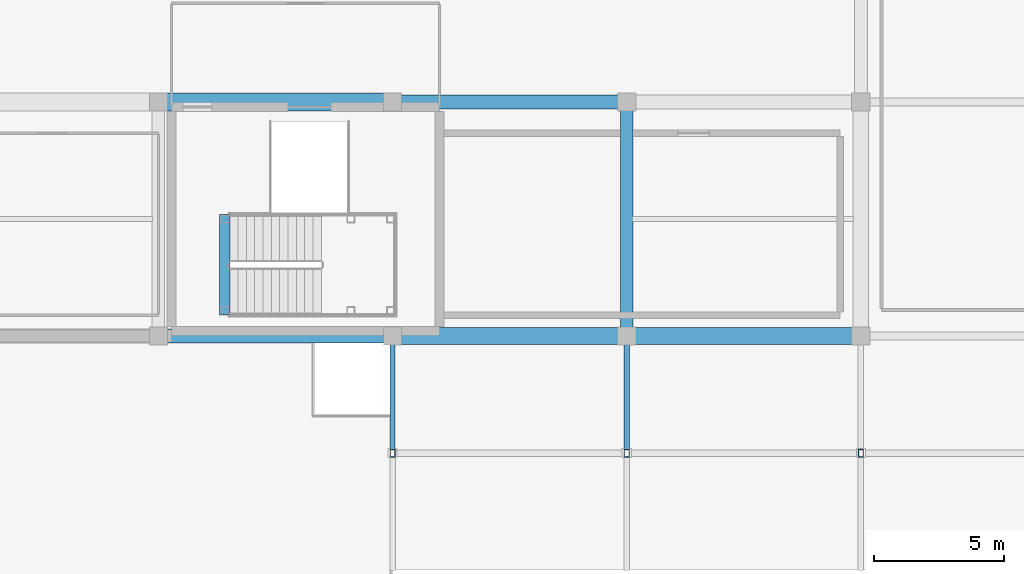
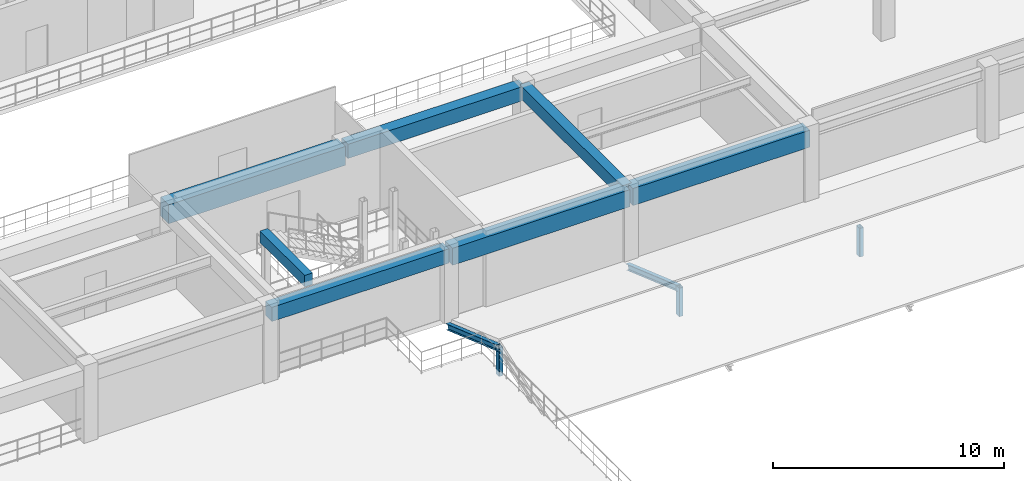
# One storey, part 44 of 110: 7 beams, 5 members.
"""IFC4 building model written with IfcOpenShell, lengths in metres."""

from ifc_helpers import new_model, si_unit, direction, frame, origin, origin_2d, place, context, subcontext, project, spatial, rectangle, hollow_rectangle, i_section, extrude, material, material_profile, profile_set, type_object, element, save


model = new_model("IFC4")

# Units and contexts
model_context = context("Model", 3, precision=1e-05, world=origin(), true_north=direction((0.0, 1.0)))
body_context = subcontext(model_context, "Body", "Model", "MODEL_VIEW")
ifc_project = project(units=[si_unit("LENGTHUNIT", "METRE"), si_unit("AREAUNIT", "SQUARE_METRE"), si_unit("VOLUMEUNIT", "CUBIC_METRE"), si_unit("PLANEANGLEUNIT", "RADIAN"), si_unit("MASSUNIT", "GRAM", prefix="KILO")], contexts=[model_context])

# Site, building, storey
site_placement = place(None, origin())
site = spatial("IfcSite", under=ifc_project, at=site_placement, CompositionType="ELEMENT")
building_placement = place(site_placement, origin())
building = spatial("IfcBuilding", under=site, at=building_placement, Name="Miravela Opera House", CompositionType="ELEMENT")
storey_placement = place(building_placement, frame((0.0, 0.0, 13.60009765625)))
storey = spatial("IfcBuildingStorey", under=building, at=storey_placement, Name="L03", CompositionType="ELEMENT", Elevation=13.60009765625)

# Beams
ifc_material_1 = material(Name="Concrete C35/45", Category="concrete")
ifc_material_profile_1 = material_profile(ifc_material_1, rectangle(XDim=0.39990234375, YDim=0.60009765625, at=origin_2d()), Name="RC-BM-400X600")
ifc_profile_set_1 = profile_set([ifc_material_profile_1])
beam_type_1 = type_object("IfcBeamType", Name="STR-BM-RC400X600", PredefinedType="JOIST", material=ifc_profile_set_1)
beam_1_placement = place(storey_placement, frame((110.5400390625, 37.800048828125, 3.77978515625), z_axis=(0.0, 1.0, 0.0), x_axis=(-1.0, 0.0, 0.0)))
element("IfcBeam", 1, at=beam_1_placement, inside=storey, type_object=beam_type_1, Name="Stair K4 Opening Header Trimmer Beam 04", PredefinedType="JOIST", context=body_context, shape_type="SweptSolid", body=[
    extrude(rectangle(XDim=0.39990234375, YDim=0.60009765625, at=origin_2d()), origin(), (0.0, 0.0, 1.0), 3.8798828125),
])
ifc_material_profile_2 = material_profile(ifc_material_1, rectangle(XDim=0.47998046875, YDim=0.679931640625, at=origin_2d()), Name="RC-BM-480X680")
ifc_profile_set_2 = profile_set([ifc_material_profile_2])
beam_type_2 = type_object("IfcBeamType", Name="STR-BM-RC480X680", PredefinedType="BEAM", material=ifc_profile_set_2)
beam_2_placement = place(storey_placement, frame((126.0, 37.080078125, 3.5), z_axis=(0.0, 1.0, 0.0), x_axis=(-1.0, 0.0, 0.0)))
element("IfcBeam", 2, at=beam_2_placement, inside=storey, type_object=beam_type_2, Name="Floor Girder L03 15/E-F", PredefinedType="BEAM", context=body_context, shape_type="SweptSolid", body=[
    extrude(rectangle(XDim=0.47998046875, YDim=0.679931640625, at=origin_2d()), origin(), (0.0, 0.0, 1.0), 8.83984375),
])
ifc_material_profile_3 = material_profile(ifc_material_1, rectangle(XDim=0.550048828125, YDim=0.75, at=origin_2d()), Name="RC-BM-550X750")
ifc_profile_set_3 = profile_set([ifc_material_profile_3])
beam_type_3 = type_object("IfcBeamType", Name="STR-BM-RC550X750", PredefinedType="BEAM", material=ifc_profile_set_3)
for number, where, z_axis, x_axis, name in (
    (3, (108.080078125, 37.0, 3.46484375), (1.0, 0.0, 0.0), (0.0, 1.0, 0.0), "Floor Girder L03 13-14/E"),
    (4, (117.080078125, 46.0, 3.46484375), (1.0, 0.0, 0.0), (0.0, 1.0, 0.0), "Floor Girder L03 14-15/F"),
):
    element("IfcBeam", number, at=place(storey_placement, frame(where, z_axis=z_axis, x_axis=x_axis)), inside=storey, type_object=beam_type_3, Name=name, PredefinedType="BEAM", context=body_context, shape_type="SweptSolid", body=[
        extrude(rectangle(XDim=0.550048828125, YDim=0.75, at=origin_2d()), origin(), (0.0, 0.0, 1.0), 8.83984375),
    ])
ifc_material_2 = material(Name="Concrete C40/50", Category="concrete")
ifc_material_profile_4 = material_profile(ifc_material_2, rectangle(XDim=0.64990234375, YDim=0.89990234375, at=origin_2d()), Name="RC-BM-650X900")
ifc_profile_set_4 = profile_set([ifc_material_profile_4])
beam_type_4 = type_object("IfcBeamType", Name="STR-BM-RC650X900", PredefinedType="BEAM", material=ifc_profile_set_4)
for number, where, z_axis, x_axis, name in (
    (5, (117.080078125, 37.0, 3.389892578125), (1.0, 0.0, 0.0), (0.0, 1.0, 0.0), "Floor Girder L03 14-15/E"),
    (6, (126.080078125, 37.0, 3.389892578125), (1.0, 0.0, 0.0), (0.0, 1.0, 0.0), "Floor Girder L03 15-16/E"),
):
    element("IfcBeam", number, at=place(storey_placement, frame(where, z_axis=z_axis, x_axis=x_axis)), inside=storey, type_object=beam_type_4, Name=name, PredefinedType="BEAM", context=body_context, shape_type="SweptSolid", body=[
        extrude(rectangle(XDim=0.64990234375, YDim=0.89990234375, at=origin_2d()), origin(), (0.0, 0.0, 1.0), 8.83984375),
    ])
ifc_material_profile_5 = material_profile(ifc_material_2, rectangle(XDim=0.699951171875, YDim=1.0, at=origin_2d()), Name="RC-BM-700X1000")
ifc_profile_set_5 = profile_set([ifc_material_profile_5])
beam_type_5 = type_object("IfcBeamType", Name="STR-BM-RC700X1000", PredefinedType="BEAM", material=ifc_profile_set_5)
beam_3_placement = place(storey_placement, frame((108.080078125, 46.0, 3.33984375), z_axis=(1.0, 0.0, 0.0), x_axis=(0.0, 1.0, 0.0)))
element("IfcBeam", 7, at=beam_3_placement, inside=storey, type_object=beam_type_5, Name="Floor Girder L03 13-14/F", PredefinedType="BEAM", context=body_context, shape_type="SweptSolid", body=[
    extrude(rectangle(XDim=0.699951171875, YDim=1.0, at=origin_2d()), origin(), (0.0, 0.0, 1.0), 8.83984375),
])

# Members
ifc_material_3 = material(Name="Hollow structural steel ASTM A500 Gr. C", Category="steel")
ifc_material_profile_6 = material_profile(ifc_material_3, hollow_rectangle(XDim=0.199951171875, YDim=0.300048828125, WallThickness=0.011962890625, InnerFilletRadius=0.011962890625, OuterFilletRadius=0.02392578125, at=origin_2d()), Name="HSS300X200X12")
ifc_profile_set_6 = profile_set([ifc_material_profile_6])
member_type_1 = type_object("IfcMemberType", Name="STR-MEM-POST-HSS300X200", PredefinedType="POST", material=ifc_profile_set_6)
for number, where, z_axis, x_axis, name in (
    (8, (117.0, 32.5, -0.25), (0.0, 0.0, 1.0), (1.0, 0.0, 0.0), "Roof Gable King Post ROOF-V4-NE W"),
    (9, (126.0, 32.5, -0.25), (0.0, 0.0, 1.0), (1.0, 0.0, 0.0), "Roof Ridge Support Post ROOF-V4-NE M1"),
    (10, (135.0, 32.5, -0.25), (0.0, 0.0, 1.0), (1.0, 0.0, 0.0), "Roof Ridge Support Post ROOF-V4-NE M2"),
):
    element("IfcMember", number, at=place(storey_placement, frame(where, z_axis=z_axis, x_axis=x_axis)), inside=storey, type_object=member_type_1, Name=name, PredefinedType="POST", context=body_context, shape_type="SweptSolid", body=[
        extrude(hollow_rectangle(XDim=0.199951171875, YDim=0.300048828125, WallThickness=0.011962890625, InnerFilletRadius=0.011962890625, OuterFilletRadius=0.02392578125, at=origin_2d()), origin(), (0.0, 0.0, 1.0), 1.510009765625),
    ])
ifc_material_4 = material(Name="Structural steel ASTM A992 Gr. 50", Category="steel")
ifc_material_profile_7 = material_profile(ifc_material_4, i_section(OverallWidth=0.202880859375, OverallDepth=0.302978515625, WebThickness=0.007568359375, FlangeThickness=0.01318359375, FilletRadius=0.012939453125, at=origin_2d()), Name="W310X60")
ifc_profile_set_7 = profile_set([ifc_material_profile_7])
member_type_2 = type_object("IfcMemberType", Name="STR-MEM-RAFTER-2", PredefinedType="RAFTER", material=ifc_profile_set_7)
for number, where, z_axis, x_axis, name in (
    (11, (117.0, 36.949951171875, -0.400146484375), (0.0, -0.943687918104, 0.3308369889), (1.0, 0.0, 0.0), "Pitched Roof Rafter ROOF-V4-NE N0"),
    (12, (126.0, 36.949951171875, -0.400146484375), (0.0, -0.943687918104, 0.3308369889), (1.0, 0.0, 0.0), "Pitched Roof Rafter ROOF-V4-NE N1"),
):
    element("IfcMember", number, at=place(storey_placement, frame(where, z_axis=z_axis, x_axis=x_axis)), inside=storey, type_object=member_type_2, Name=name, PredefinedType="RAFTER", context=body_context, shape_type="SweptSolid", body=[
        extrude(i_section(OverallWidth=0.202880859375, OverallDepth=0.302978515625, WebThickness=0.007568359375, FlangeThickness=0.01318359375, FilletRadius=0.012939453125, at=origin_2d()), origin(), (0.0, 0.0, 1.0), 4.715576171875),
    ])

save(model, "model.ifc")
